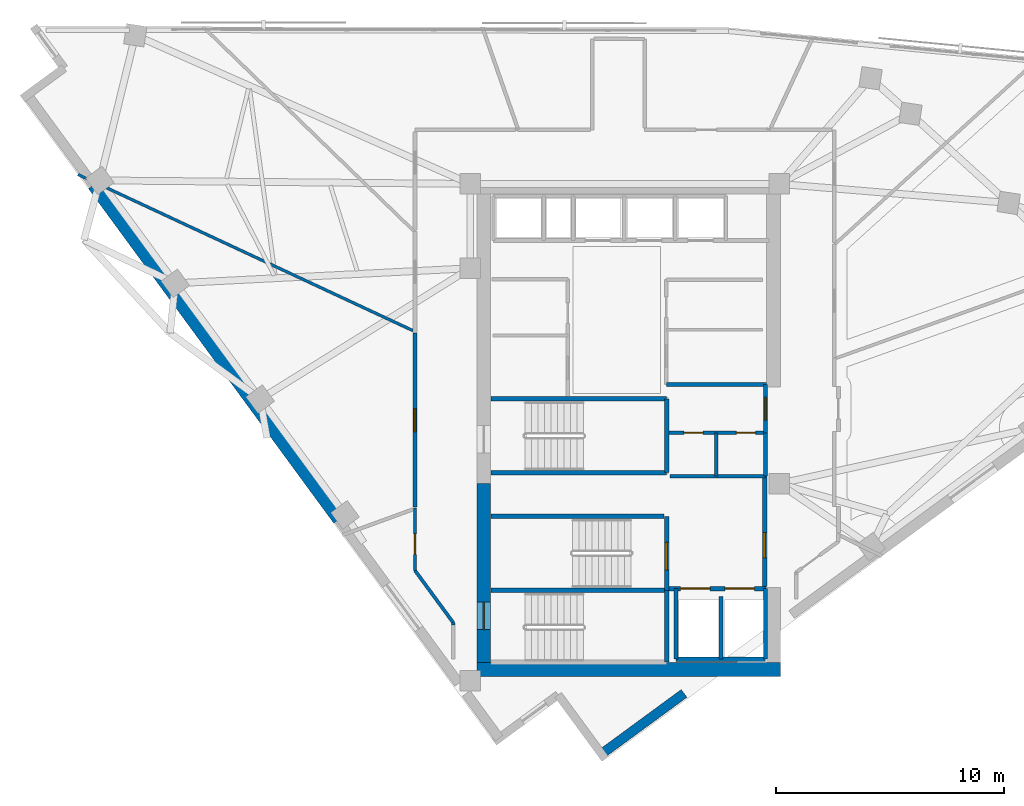
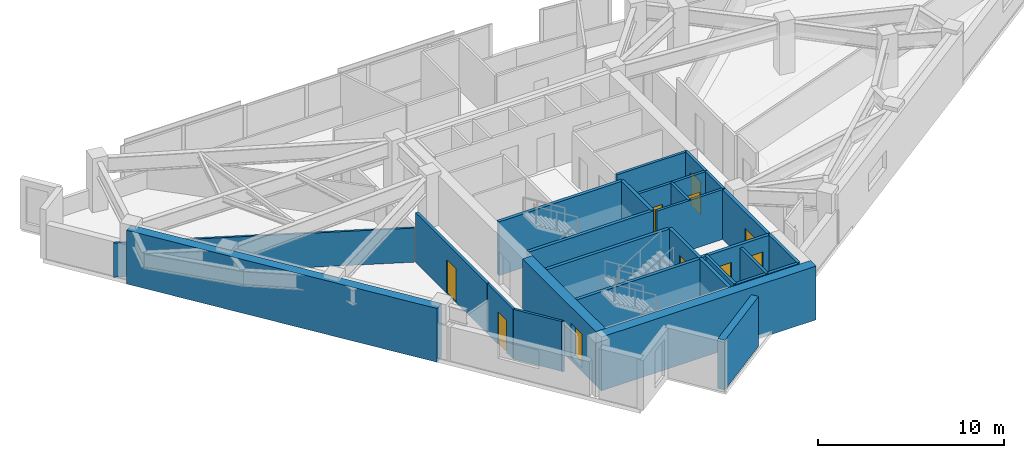
# One storey, part 8 of 14: 28 walls, 10 doors, 10 openings.
"""IFC4 building model written with IfcOpenShell, lengths in metres."""

from ifc_helpers import new_model, si_unit, direction, frame, frame_2d, origin, place, context, subcontext, project, spatial, rectangle, extrude, material, layer, layer_set, type_object, element, fill, save


model = new_model("IFC4")

# Units and contexts
model_context = context("Model", 3, precision=1e-05, world=origin(), true_north=direction((0.0, 1.0)))
body_context = subcontext(model_context, "Body", "Model", "MODEL_VIEW")
ifc_project = project(units=[si_unit("LENGTHUNIT", "METRE"), si_unit("AREAUNIT", "SQUARE_METRE"), si_unit("VOLUMEUNIT", "CUBIC_METRE"), si_unit("PLANEANGLEUNIT", "RADIAN"), si_unit("MASSUNIT", "GRAM", prefix="KILO")], contexts=[model_context])

# Site, building, storey
site_placement = place(None, origin())
site = spatial("IfcSite", under=ifc_project, at=site_placement, CompositionType="ELEMENT")
building_placement = place(site_placement, origin())
building = spatial("IfcBuilding", under=site, at=building_placement, Name="Narakoshi Arena Tower", CompositionType="ELEMENT")
storey_placement = place(building_placement, frame((0.0, 0.0, 260.739990234375)))
storey = spatial("IfcBuildingStorey", under=building, at=storey_placement, Name="L71", CompositionType="ELEMENT", Elevation=260.739990234375)

# Wall, opening, door
ifc_material_1 = material(Name="Concrete C50/60", Category="concrete")
ifc_layer_1 = layer(ifc_material_1, 0.60009765625)
ifc_layer_set_1 = layer_set([ifc_layer_1], Name="Concrete C50/60")
wall_type_1 = type_object("IfcWallType", Name="WL-CORE-600", PredefinedType="SHEAR", material=ifc_layer_set_1)
wall_1_placement = place(storey_placement, frame((72.60009765625, 35.5, -0.260009765625), z_axis=(0.0, 0.0, 1.0), x_axis=(0.0, 1.0, 0.0)))
wall_1 = element("IfcWall", 1, at=wall_1_placement, inside=storey, type_object=wall_type_1, Name="L71 Central Core Shear Wall CW-APX-W", PredefinedType="SHEAR", context=body_context, shape_type="SweptSolid", body=[
    extrude(rectangle(XDim=7.85009765625, YDim=0.60009765625, at=frame_2d((3.925048828125, 0.0))), origin(), (0.0, 0.0, 1.0), 3.52001953125),
])
opening_1_placement = place(wall_1_placement, frame((1.449951171875, 0.0, 0.260009765625)))
opening_1 = element("IfcOpeningElement", 2, at=opening_1_placement, cuts=wall_1, Name="Opening D-03", PredefinedType="OPENING", context=body_context, shape_type="SweptSolid", body=[
    extrude(rectangle(XDim=1.199951171875, YDim=2.199951171875, at=frame_2d((0.60009765625, 1.10009765625))), frame((0.0, 0.31005859375, 0.0), z_axis=(0.0, -1.0, 0.0), x_axis=(1.0, 0.0, 0.0)), (0.0, 0.0, 1.0), 0.6201171875),
])
ifc_material_2 = material(Name="Painted galvanized steel", Category="steel")
door_type_1 = type_object("IfcDoorType", Name="DR-STR-1200", OperationType="NOTDEFINED", PredefinedType="USERDEFINED", material=ifc_material_2)
door_1_placement = place(opening_1_placement, frame((1.199951171875, 0.0, 0.0), z_axis=(0.0, 0.0, 1.0), x_axis=(-1.0, 0.0, 0.0)))
door_1 = element("IfcDoor", 3, at=door_1_placement, inside=storey, type_object=door_type_1, Name="DR-L71-001", ObjectType="EXITDOOR", OperationType="SINGLE_SWING_LEFT", OverallHeight=2.199951171875, OverallWidth=1.199951171875, PredefinedType="USERDEFINED", context=body_context, shape_type="SweptSolid", body=[
    extrude(rectangle(XDim=1.199951171875, YDim=2.199951171875, at=frame_2d((0.60009765625, 1.10009765625))), frame((0.0, 0.02490234375, 0.0), z_axis=(0.0, -1.0, 0.0), x_axis=(1.0, 0.0, 0.0)), (0.0, 0.0, 1.0), 0.050048828125),
])
fill(opening_1, door_1)

# Wall
wall_2_placement = place(storey_placement, frame((72.300048828125, 35.199951171875, -0.260009765625), z_axis=(0.0, 0.0, 1.0), x_axis=(1.0, 0.0, 0.0)))
element("IfcWall", 4, at=wall_2_placement, inside=storey, type_object=wall_type_1, Name="L71 Central Core Shear Wall CW-APX-S", PredefinedType="SHEAR", context=body_context, shape_type="SweptSolid", body=[
    extrude(rectangle(XDim=13.300048828125, YDim=0.60009765625, at=frame_2d((6.64990234375, 0.0))), origin(), (0.0, 0.0, 1.0), 3.52001953125),
])

# Wall, opening, door
ifc_material_3 = material(Name="Gypsum plasterboard fire-rated partition")
ifc_layer_2 = layer(ifc_material_3, 0.1650390625)
ifc_layer_set_2 = layer_set([ifc_layer_2], Name="Gypsum plasterboard fire-rated partition")
wall_type_2 = type_object("IfcWallType", Name="WL-CORR-165", PredefinedType="PARTITIONING", material=ifc_layer_set_2)
wall_3_placement = place(storey_placement, frame((84.949951171875, 45.580078125, 0.0), z_axis=(0.0, 0.0, 1.0), x_axis=(0.0, 1.0, 0.0)))
wall_3 = element("IfcWall", 5, at=wall_3_placement, inside=storey, type_object=wall_type_2, Name="L71 Core Wall CPAS-E", PredefinedType="PARTITIONING", context=body_context, shape_type="SweptSolid", body=[
    extrude(rectangle(XDim=2.119873046875, YDim=0.1650390625, at=frame_2d((1.06005859375, 0.0))), origin(), (0.0, 0.0, 1.0), 3.260009765625),
])
opening_2_placement = place(wall_3_placement, frame((0.56005859375, 0.0, 0.0)))
opening_2 = element("IfcOpeningElement", 6, at=opening_2_placement, cuts=wall_3, Name="Opening D-06", PredefinedType="OPENING", context=body_context, shape_type="SweptSolid", body=[
    extrude(rectangle(XDim=1.0, YDim=2.199951171875, at=frame_2d((0.5, 1.10009765625))), frame((0.0, 0.092529296875, 0.0), z_axis=(0.0, -1.0, 0.0), x_axis=(1.0, 0.0, 0.0)), (0.0, 0.0, 1.0), 0.18505859375),
])
ifc_material_4 = material(Name="Stained oak solid-core timber", Category="wood")
door_type_2 = type_object("IfcDoorType", Name="DR-OFF-1000", OperationType="NOTDEFINED", PredefinedType="DOOR", material=ifc_material_4)
door_2_placement = place(opening_2_placement, frame((1.0, 0.0, 0.0), z_axis=(0.0, 0.0, 1.0), x_axis=(-1.0, 0.0, 0.0)))
door_2 = element("IfcDoor", 7, at=door_2_placement, inside=storey, type_object=door_type_2, Name="DR-L71-007", OperationType="SINGLE_SWING_LEFT", OverallHeight=2.199951171875, OverallWidth=1.0, PredefinedType="DOOR", context=body_context, shape_type="SweptSolid", body=[
    extrude(rectangle(XDim=1.0, YDim=2.199951171875, at=frame_2d((0.5, 1.10009765625))), frame((0.0, 0.02490234375, 0.0), z_axis=(0.0, -1.0, 0.0), x_axis=(1.0, 0.0, 0.0)), (0.0, 0.0, 1.0), 0.050048828125),
])
fill(opening_2, door_2)

wall_4_placement = place(storey_placement, frame((69.577880859375, 49.955810546875, 0.0), z_axis=(0.0, 0.0, 1.0), x_axis=(0.0, -1.0, 0.0)))
wall_4 = element("IfcWall", 8, at=wall_4_placement, inside=storey, type_object=wall_type_2, Name="L71 Corridor Partition 09-1", PredefinedType="PARTITIONING", context=body_context, shape_type="SweptSolid", body=[
    extrude(rectangle(XDim=7.635986328125, YDim=0.1650390625, at=frame_2d((3.81787109375, 0.0))), origin(), (0.0, 0.0, 1.0), 3.260009765625),
])
opening_3_placement = place(wall_4_placement, frame((3.318115234375, 0.0, 0.0)))
opening_3 = element("IfcOpeningElement", 9, at=opening_3_placement, cuts=wall_4, Name="Opening D-06", PredefinedType="OPENING", context=body_context, shape_type="SweptSolid", body=[
    extrude(rectangle(XDim=1.0, YDim=2.199951171875, at=frame_2d((0.5, 1.10009765625))), frame((0.0, 0.092529296875, 0.0), z_axis=(0.0, -1.0, 0.0), x_axis=(1.0, 0.0, 0.0)), (0.0, 0.0, 1.0), 0.18505859375),
])
door_3_placement = place(opening_3_placement, frame((1.0, 0.0, 0.0), z_axis=(0.0, 0.0, 1.0), x_axis=(-1.0, 0.0, 0.0)))
door_3 = element("IfcDoor", 10, at=door_3_placement, inside=storey, type_object=door_type_2, Name="DR-L71-025", OperationType="SINGLE_SWING_LEFT", OverallHeight=2.199951171875, OverallWidth=1.0, PredefinedType="DOOR", context=body_context, shape_type="SweptSolid", body=[
    extrude(rectangle(XDim=1.0, YDim=2.199951171875, at=frame_2d((0.5, 1.10009765625))), frame((0.0, 0.02490234375, 0.0), z_axis=(0.0, -1.0, 0.0), x_axis=(1.0, 0.0, 0.0)), (0.0, 0.0, 1.0), 0.050048828125),
])
fill(opening_3, door_3)

# Walls
ifc_layer_3 = layer(ifc_material_1, 0.550048828125)
ifc_layer_set_3 = layer_set([ifc_layer_3], Name="Concrete C50/60")
wall_type_3 = type_object("IfcWallType", Name="WL-LEG-550", PredefinedType="SHEAR", material=ifc_layer_set_3)
wall_5_placement = place(storey_placement, frame((55.47509765625, 56.450439453125, -0.260009765625), z_axis=(0.0, 0.0, 1.0), x_axis=(0.591309555876, -0.806444672082, 0.0)))
element("IfcWall", 11, at=wall_5_placement, inside=storey, type_object=wall_type_3, Name="L71 Architectural Concrete Structural Wall LEGB-2", PredefinedType="SHEAR", context=body_context, shape_type="SweptSolid", body=[
    extrude(rectangle(XDim=18.1923828125, YDim=0.550048828125, at=frame_2d((9.09619140625, 0.0))), origin(), (0.0, 0.0, 1.0), 3.52001953125),
])
ifc_layer_4 = layer(ifc_material_3, 0.125)
ifc_layer_set_4 = layer_set([ifc_layer_4], Name="Gypsum plasterboard fire-rated partition")
wall_type_4 = type_object("IfcWallType", Name="WL-PART-125", PredefinedType="PARTITIONING", material=ifc_layer_set_4)
wall_6_placement = place(storey_placement, frame((69.4833984375, 50.06640625, 0.0), z_axis=(0.0, 0.0, 1.0), x_axis=(-0.906367788561, 0.422489564202, 0.0)))
element("IfcWall", 12, at=wall_6_placement, inside=storey, type_object=wall_type_4, Name="L71 Inter-Room Partition 07-09", PredefinedType="PARTITIONING", context=body_context, shape_type="SweptSolid", body=[
    extrude(rectangle(XDim=16.2060546875, YDim=0.125, at=frame_2d((8.10302734375, 0.0))), origin(), (0.0, 0.0, 1.0), 2.237060546875),
])
ifc_material_5 = material(Name="Precast concrete C45/55", Category="concrete")
ifc_layer_5 = layer(ifc_material_5, 0.419921875)
ifc_layer_set_5 = layer_set([ifc_layer_5], Name="Precast concrete C45/55")
wall_type_5 = type_object("IfcWallType", Name="WL-POD-420", PredefinedType="SOLIDWALL", material=ifc_layer_set_5)
wall_7_placement = place(storey_placement, frame((77.760009765625, 31.4951171875, 0.0), z_axis=(0.0, 0.0, 1.0), x_axis=(0.806458583304, 0.591290582891, 0.0)))
element("IfcWall", 13, at=wall_7_placement, inside=storey, type_object=wall_type_5, Name="L71 Architectural Concrete Facade Wall LEGA-1", PredefinedType="SOLIDWALL", context=body_context, shape_type="SweptSolid", body=[
    extrude(rectangle(XDim=4.48974609375, YDim=0.419921875, at=frame_2d((2.244873046875, 0.0))), origin(), (0.0, 0.0, 1.0), 3.260009765625),
])
ifc_material_6 = material(Name="Concrete C40/50", Category="concrete")
ifc_layer_6 = layer(ifc_material_6, 0.280029296875)
ifc_layer_set_6 = layer_set([ifc_layer_6], Name="Concrete C40/50")
wall_type_6 = type_object("IfcWallType", Name="WL-RISER-280", PredefinedType="PLUMBINGWALL", material=ifc_layer_set_6)
wall_8_placement = place(storey_placement, frame((83.0, 35.64990234375, 0.0), z_axis=(0.0, 0.0, 1.0), x_axis=(0.0, 1.0, 0.0)))
element("IfcWall", 14, at=wall_8_placement, inside=storey, type_object=wall_type_6, Name="L71 Core Wall FF-DIV", PredefinedType="PLUMBINGWALL", context=body_context, shape_type="SweptSolid", body=[
    extrude(rectangle(XDim=2.75, YDim=0.159912109375, at=frame_2d((1.375, 0.0))), origin(), (0.0, 0.0, 1.0), 3.260009765625),
])
wall_9_placement = place(storey_placement, frame((84.949951171875, 43.679931640625, 0.0), z_axis=(0.0, 0.0, 1.0), x_axis=(0.0, 1.0, 0.0)))
element("IfcWall", 15, at=wall_9_placement, inside=storey, type_object=wall_type_6, Name="L71 Core Wall RSR-E", PredefinedType="PLUMBINGWALL", context=body_context, shape_type="SweptSolid", body=[
    extrude(rectangle(XDim=1.900146484375, YDim=0.1650390625, at=frame_2d((0.9501953125, 0.0))), origin(), (0.0, 0.0, 1.0), 3.260009765625),
])

# Wall, openings, doors
wall_10_placement = place(storey_placement, frame((80.719970703125, 45.580078125, 0.0), z_axis=(0.0, 0.0, 1.0), x_axis=(1.0, 0.0, 0.0)))
wall_10 = element("IfcWall", 16, at=wall_10_placement, inside=storey, type_object=wall_type_6, Name="L71 Core Wall RSR-N", PredefinedType="PLUMBINGWALL", context=body_context, shape_type="SweptSolid", body=[
    extrude(rectangle(XDim=4.22998046875, YDim=0.159912109375, at=frame_2d((2.114990234375, 0.0))), origin(), (0.0, 0.0, 1.0), 3.260009765625),
])
opening_4_placement = place(wall_10_placement, frame((0.64990234375, 0.0, 0.0)))
opening_4 = element("IfcOpeningElement", 17, at=opening_4_placement, cuts=wall_10, Name="Opening D-10", PredefinedType="OPENING", context=body_context, shape_type="SweptSolid", body=[
    extrude(rectangle(XDim=0.85009765625, YDim=2.050048828125, at=frame_2d((0.425048828125, 1.02490234375))), frame((0.0, 0.08984375, 0.0), z_axis=(0.0, -1.0, 0.0), x_axis=(1.0, 0.0, 0.0)), (0.0, 0.0, 1.0), 0.179931640625),
])
opening_5_placement = place(wall_10_placement, frame((2.949951171875, 0.0, 0.0)))
opening_5 = element("IfcOpeningElement", 18, at=opening_5_placement, cuts=wall_10, Name="Opening D-10", PredefinedType="OPENING", context=body_context, shape_type="SweptSolid", body=[
    extrude(rectangle(XDim=0.85009765625, YDim=2.050048828125, at=frame_2d((0.425048828125, 1.02490234375))), frame((0.0, 0.08984375, 0.0), z_axis=(0.0, -1.0, 0.0), x_axis=(1.0, 0.0, 0.0)), (0.0, 0.0, 1.0), 0.179931640625),
])
door_type_3 = type_object("IfcDoorType", Name="DR-RSR-850", OperationType="NOTDEFINED", PredefinedType="DOOR", material=ifc_material_2)
door_4_placement = place(opening_4_placement, frame((0.85009765625, 0.0, 0.0), z_axis=(0.0, 0.0, 1.0), x_axis=(-1.0, 0.0, 0.0)))
door_4 = element("IfcDoor", 19, at=door_4_placement, inside=storey, type_object=door_type_3, Name="DR-L71-008", OperationType="SINGLE_SWING_LEFT", OverallHeight=2.050048828125, OverallWidth=0.85009765625, PredefinedType="DOOR", context=body_context, shape_type="SweptSolid", body=[
    extrude(rectangle(XDim=0.85009765625, YDim=2.050048828125, at=frame_2d((0.425048828125, 1.02490234375))), frame((0.0, 0.02490234375, 0.0), z_axis=(0.0, -1.0, 0.0), x_axis=(1.0, 0.0, 0.0)), (0.0, 0.0, 1.0), 0.050048828125),
])
fill(opening_4, door_4)
door_5_placement = place(opening_5_placement, frame((0.85009765625, 0.0, 0.0), z_axis=(0.0, 0.0, 1.0), x_axis=(-1.0, 0.0, 0.0)))
door_5 = element("IfcDoor", 20, at=door_5_placement, inside=storey, type_object=door_type_3, Name="DR-L71-009", OperationType="SINGLE_SWING_RIGHT", OverallHeight=2.050048828125, OverallWidth=0.85009765625, PredefinedType="DOOR", context=body_context, shape_type="SweptSolid", body=[
    extrude(rectangle(XDim=0.85009765625, YDim=2.050048828125, at=frame_2d((0.425048828125, 1.02490234375))), frame((0.0, 0.02490234375, 0.0), z_axis=(0.0, -1.0, 0.0), x_axis=(1.0, 0.0, 0.0)), (0.0, 0.0, 1.0), 0.050048828125),
])
fill(opening_5, door_5)

# Walls
wall_11_placement = place(storey_placement, frame((80.760009765625, 43.679931640625, 0.0), z_axis=(0.0, 0.0, 1.0), x_axis=(1.0, 0.0, 0.0)))
element("IfcWall", 21, at=wall_11_placement, inside=storey, type_object=wall_type_6, Name="L71 Core Wall RSR-S", PredefinedType="PLUMBINGWALL", context=body_context, shape_type="SweptSolid", body=[
    extrude(rectangle(XDim=4.18994140625, YDim=0.159912109375, at=frame_2d((2.094970703125, 0.0))), origin(), (0.0, 0.0, 1.0), 3.260009765625),
])
wall_12_placement = place(storey_placement, frame((82.800048828125, 43.679931640625, 0.0), z_axis=(0.0, 0.0, 1.0), x_axis=(0.0, 1.0, 0.0)))
element("IfcWall", 22, at=wall_12_placement, inside=storey, type_object=wall_type_6, Name="L71 Core Wall RSR-M", PredefinedType="PLUMBINGWALL", context=body_context, shape_type="SweptSolid", body=[
    extrude(rectangle(XDim=1.900146484375, YDim=0.159912109375, at=frame_2d((0.9501953125, 0.0))), origin(), (0.0, 0.0, 1.0), 3.260009765625),
])
ifc_layer_7 = layer(ifc_material_1, 0.35009765625)
ifc_layer_set_7 = layer_set([ifc_layer_7], Name="Concrete C50/60")
wall_type_7 = type_object("IfcWallType", Name="WL-SHAFT-350", PredefinedType="SOLIDWALL", material=ifc_layer_set_7)
wall_13_placement = place(storey_placement, frame((72.919921875, 38.675048828125, -0.260009765625), z_axis=(0.0, 0.0, 1.0), x_axis=(1.0, 0.0, 0.0)))
element("IfcWall", 23, at=wall_13_placement, inside=storey, type_object=wall_type_7, Name="L71 Core Wall ST12-DIV", PredefinedType="SOLIDWALL", context=body_context, shape_type="SweptSolid", body=[
    extrude(rectangle(XDim=7.7001953125, YDim=0.199951171875, at=frame_2d((3.85009765625, 0.0))), origin(), (0.0, 0.0, 1.0), 3.52001953125),
])
wall_14_placement = place(storey_placement, frame((80.6201171875, 35.52001953125, -0.260009765625), z_axis=(0.0, 0.0, 1.0), x_axis=(0.0, 1.0, 0.0)))
element("IfcWall", 24, at=wall_14_placement, inside=storey, type_object=wall_type_7, Name="L71 Core Wall ST1-E", PredefinedType="SOLIDWALL", context=body_context, shape_type="SweptSolid", body=[
    extrude(rectangle(XDim=3.155029296875, YDim=0.199951171875, at=frame_2d((1.57763671875, 0.0))), origin(), (0.0, 0.0, 1.0), 3.52001953125),
])

# Wall, opening, door
wall_15_placement = place(storey_placement, frame((80.6201171875, 38.675048828125, -0.260009765625), z_axis=(0.0, 0.0, 1.0), x_axis=(0.0, 1.0, 0.0)))
wall_15 = element("IfcWall", 25, at=wall_15_placement, inside=storey, type_object=wall_type_7, Name="L71 Core Wall ST2-E", PredefinedType="SOLIDWALL", context=body_context, shape_type="SweptSolid", body=[
    extrude(rectangle(XDim=3.244873046875, YDim=0.199951171875, at=frame_2d((1.62255859375, 0.0))), origin(), (0.0, 0.0, 1.0), 3.52001953125),
])
opening_6_placement = place(wall_15_placement, frame((0.89990234375, 0.0, 0.260009765625)))
opening_6 = element("IfcOpeningElement", 26, at=opening_6_placement, cuts=wall_15, Name="Opening D-03", PredefinedType="OPENING", context=body_context, shape_type="SweptSolid", body=[
    extrude(rectangle(XDim=1.199951171875, YDim=2.199951171875, at=frame_2d((0.60009765625, 1.10009765625))), frame((0.0, 0.10986328125, 0.0), z_axis=(0.0, -1.0, 0.0), x_axis=(1.0, 0.0, 0.0)), (0.0, 0.0, 1.0), 0.219970703125),
])
door_6_placement = place(opening_6_placement, origin())
door_6 = element("IfcDoor", 27, at=door_6_placement, inside=storey, type_object=door_type_1, Name="DR-L71-002", ObjectType="EXITDOOR", OperationType="SINGLE_SWING_RIGHT", OverallHeight=2.199951171875, OverallWidth=1.199951171875, PredefinedType="USERDEFINED", context=body_context, shape_type="SweptSolid", body=[
    extrude(rectangle(XDim=1.199951171875, YDim=2.199951171875, at=frame_2d((0.60009765625, 1.10009765625))), frame((0.0, 0.02490234375, 0.0), z_axis=(0.0, -1.0, 0.0), x_axis=(1.0, 0.0, 0.0)), (0.0, 0.0, 1.0), 0.050048828125),
])
fill(opening_6, door_6)

# Wall, openings, doors
wall_16_placement = place(storey_placement, frame((80.719970703125, 38.75, 0.0), z_axis=(0.0, 0.0, 1.0), x_axis=(1.0, 0.0, 0.0)))
wall_16 = element("IfcWall", 28, at=wall_16_placement, inside=storey, type_object=wall_type_7, Name="L71 Core Wall FF-N", PredefinedType="SOLIDWALL", context=body_context, shape_type="SweptSolid", body=[
    extrude(rectangle(XDim=4.260009765625, YDim=0.199951171875, at=frame_2d((2.1298828125, 0.0))), origin(), (0.0, 0.0, 1.0), 3.260009765625),
])
opening_7_placement = place(wall_16_placement, frame((0.5, 0.0, 0.0)))
opening_7 = element("IfcOpeningElement", 29, at=opening_7_placement, cuts=wall_16, Name="Opening LD-02", PredefinedType="OPENING", context=body_context, shape_type="SweptSolid", body=[
    extrude(rectangle(XDim=1.300048828125, YDim=2.300048828125, at=frame_2d((0.64990234375, 1.14990234375))), frame((0.0, 0.10986328125, 0.0), z_axis=(0.0, -1.0, 0.0), x_axis=(1.0, 0.0, 0.0)), (0.0, 0.0, 1.0), 0.219970703125),
])
opening_8_placement = place(wall_16_placement, frame((2.449951171875, 0.0, 0.0)))
opening_8 = element("IfcOpeningElement", 30, at=opening_8_placement, cuts=wall_16, Name="Opening LD-02", PredefinedType="OPENING", context=body_context, shape_type="SweptSolid", body=[
    extrude(rectangle(XDim=1.300048828125, YDim=2.300048828125, at=frame_2d((0.64990234375, 1.14990234375))), frame((0.0, 0.10986328125, 0.0), z_axis=(0.0, -1.0, 0.0), x_axis=(1.0, 0.0, 0.0)), (0.0, 0.0, 1.0), 0.219970703125),
])
ifc_material_7 = material(Name="Brushed bronze stainless steel", Category="steel")
door_type_4 = type_object("IfcDoorType", Name="DR-LFT-1300", OperationType="DOUBLE_DOOR_SLIDING", PredefinedType="DOOR", material=ifc_material_7)
door_7_placement = place(opening_7_placement, origin())
door_7 = element("IfcDoor", 31, at=door_7_placement, inside=storey, type_object=door_type_4, Name="DR-L71-003", OperationType="DOUBLE_DOOR_SLIDING", OverallHeight=2.300048828125, OverallWidth=1.300048828125, PredefinedType="DOOR", context=body_context, shape_type="SweptSolid", body=[
    extrude(rectangle(XDim=1.300048828125, YDim=2.300048828125, at=frame_2d((0.64990234375, 1.14990234375))), frame((0.0, 0.02490234375, 0.0), z_axis=(0.0, -1.0, 0.0), x_axis=(1.0, 0.0, 0.0)), (0.0, 0.0, 1.0), 0.050048828125),
])
fill(opening_7, door_7)
door_8_placement = place(opening_8_placement, origin())
door_8 = element("IfcDoor", 32, at=door_8_placement, inside=storey, type_object=door_type_4, Name="DR-L71-004", OperationType="DOUBLE_DOOR_SLIDING", OverallHeight=2.300048828125, OverallWidth=1.300048828125, PredefinedType="DOOR", context=body_context, shape_type="SweptSolid", body=[
    extrude(rectangle(XDim=1.300048828125, YDim=2.300048828125, at=frame_2d((0.64990234375, 1.14990234375))), frame((0.0, 0.02490234375, 0.0), z_axis=(0.0, -1.0, 0.0), x_axis=(1.0, 0.0, 0.0)), (0.0, 0.0, 1.0), 0.050048828125),
])
fill(opening_8, door_8)

# Walls
for number, where, z_axis, x_axis, name in (
    (33, (84.949951171875, 35.64990234375, 0.0), (0.0, 0.0, 1.0), (0.0, 1.0, 0.0), "L71 Core Wall FF-E"),
    (34, (81.02001953125, 35.64990234375, 0.0), (0.0, 0.0, 1.0), (0.0, 1.0, 0.0), "L71 Core Wall FF-W"),
):
    element("IfcWall", number, at=place(storey_placement, frame(where, z_axis=z_axis, x_axis=x_axis)), inside=storey, type_object=wall_type_7, Name=name, PredefinedType="SOLIDWALL", context=body_context, shape_type="SweptSolid", body=[
        extrude(rectangle(XDim=3.10009765625, YDim=0.179931640625, at=frame_2d((1.550048828125, 0.0))), origin(), (0.0, 0.0, 1.0), 3.260009765625),
    ])
wall_17_placement = place(storey_placement, frame((81.02001953125, 35.64990234375, 0.0), z_axis=(0.0, 0.0, 1.0), x_axis=(1.0, 0.0, 0.0)))
element("IfcWall", 35, at=wall_17_placement, inside=storey, type_object=wall_type_7, Name="L71 Core Wall FF-S", PredefinedType="SOLIDWALL", context=body_context, shape_type="SweptSolid", body=[
    extrude(rectangle(XDim=3.929931640625, YDim=0.179931640625, at=frame_2d((1.96484375, 0.0))), origin(), (0.0, 0.0, 1.0), 3.260009765625),
])

# Wall, opening, door
wall_18_placement = place(storey_placement, frame((84.919921875, 38.85009765625, 0.0), z_axis=(0.0, 0.0, 1.0), x_axis=(0.0, 1.0, 0.0)))
wall_18 = element("IfcWall", 36, at=wall_18_placement, inside=storey, type_object=wall_type_7, Name="L71 Core Wall FFLOB-E", PredefinedType="SOLIDWALL", context=body_context, shape_type="SweptSolid", body=[
    extrude(rectangle(XDim=4.829833984375, YDim=0.199951171875, at=frame_2d((2.4150390625, 0.0))), origin(), (0.0, 0.0, 1.0), 3.260009765625),
])
opening_9_placement = place(wall_18_placement, frame((1.25, 0.0, 0.0)))
opening_9 = element("IfcOpeningElement", 37, at=opening_9_placement, cuts=wall_18, Name="Opening D-04", PredefinedType="OPENING", context=body_context, shape_type="SweptSolid", body=[
    extrude(rectangle(XDim=1.10009765625, YDim=2.199951171875, at=frame_2d((0.550048828125, 1.10009765625))), frame((0.0, 0.10986328125, 0.0), z_axis=(0.0, -1.0, 0.0), x_axis=(1.0, 0.0, 0.0)), (0.0, 0.0, 1.0), 0.219970703125),
])
door_type_5 = type_object("IfcDoorType", Name="DR-FFL-1100", OperationType="NOTDEFINED", PredefinedType="DOOR", material=ifc_material_2)
door_9_placement = place(opening_9_placement, frame((1.10009765625, 0.0, 0.0), z_axis=(0.0, 0.0, 1.0), x_axis=(-1.0, 0.0, 0.0)))
door_9 = element("IfcDoor", 38, at=door_9_placement, inside=storey, type_object=door_type_5, Name="DR-L71-005", OperationType="SINGLE_SWING_RIGHT", OverallHeight=2.199951171875, OverallWidth=1.10009765625, PredefinedType="DOOR", context=body_context, shape_type="SweptSolid", body=[
    extrude(rectangle(XDim=1.10009765625, YDim=2.199951171875, at=frame_2d((0.550048828125, 1.10009765625))), frame((0.0, 0.02490234375, 0.0), z_axis=(0.0, -1.0, 0.0), x_axis=(1.0, 0.0, 0.0)), (0.0, 0.0, 1.0), 0.050048828125),
])
fill(opening_9, door_9)

# Walls
wall_19_placement = place(storey_placement, frame((72.919921875, 41.919921875, -0.260009765625), z_axis=(0.0, 0.0, 1.0), x_axis=(1.0, 0.0, 0.0)))
element("IfcWall", 39, at=wall_19_placement, inside=storey, type_object=wall_type_7, Name="L71 Core Wall ST2-N", PredefinedType="SOLIDWALL", context=body_context, shape_type="SweptSolid", body=[
    extrude(rectangle(XDim=7.580078125, YDim=0.199951171875, at=frame_2d((3.7900390625, 0.0))), origin(), (0.0, 0.0, 1.0), 3.52001953125),
])
for number, where, z_axis, x_axis, name in (
    (40, (72.919921875, 43.830078125, -0.260009765625), (0.0, 0.0, 1.0), (1.0, 0.0, 0.0), "L71 Core Wall ST3-S"),
    (41, (72.919921875, 47.070068359375, -0.260009765625), (0.0, 0.0, 1.0), (1.0, 0.0, 0.0), "L71 Core Wall ST3-N"),
):
    element("IfcWall", number, at=place(storey_placement, frame(where, z_axis=z_axis, x_axis=x_axis)), inside=storey, type_object=wall_type_7, Name=name, PredefinedType="SOLIDWALL", context=body_context, shape_type="SweptSolid", body=[
        extrude(rectangle(XDim=7.7001953125, YDim=0.199951171875, at=frame_2d((3.85009765625, 0.0))), origin(), (0.0, 0.0, 1.0), 3.52001953125),
    ])
wall_20_placement = place(storey_placement, frame((80.6201171875, 43.830078125, -0.260009765625), z_axis=(0.0, 0.0, 1.0), x_axis=(0.0, 1.0, 0.0)))
element("IfcWall", 42, at=wall_20_placement, inside=storey, type_object=wall_type_7, Name="L71 Core Wall ST3-E", PredefinedType="SOLIDWALL", context=body_context, shape_type="SweptSolid", body=[
    extrude(rectangle(XDim=3.239990234375, YDim=0.199951171875, at=frame_2d((1.6201171875, 0.0))), origin(), (0.0, 0.0, 1.0), 3.52001953125),
])
wall_21_placement = place(storey_placement, frame((80.60009765625, 47.699951171875, 0.0), z_axis=(0.0, 0.0, 1.0), x_axis=(1.0, 0.0, 0.0)))
element("IfcWall", 43, at=wall_21_placement, inside=storey, type_object=wall_type_7, Name="L71 Core Wall MR-S", PredefinedType="SOLIDWALL", context=body_context, shape_type="SweptSolid", body=[
    extrude(rectangle(XDim=4.39990234375, YDim=0.159912109375, at=frame_2d((2.199951171875, 0.0))), origin(), (0.0, 0.0, 1.0), 3.260009765625),
])
ifc_material_8 = material(Name="Moisture-resistant cement-board partition")
ifc_layer_8 = layer(ifc_material_8, 0.14501953125)
ifc_layer_set_8 = layer_set([ifc_layer_8], Name="Moisture-resistant cement-board partition")
wall_type_8 = type_object("IfcWallType", Name="WL-WET-145", PredefinedType="PARTITIONING", material=ifc_layer_set_8)
wall_22_placement = place(storey_placement, frame((69.577880859375, 39.5419921875, 0.0), z_axis=(0.0, 0.0, 1.0), x_axis=(0.591303776917, -0.806448909357, 0.0)))
element("IfcWall", 44, at=wall_22_placement, inside=storey, type_object=wall_type_8, Name="L71 Corridor Partition 01-1", PredefinedType="PARTITIONING", context=body_context, shape_type="SweptSolid", body=[
    extrude(rectangle(XDim=2.827880859375, YDim=0.14501953125, at=frame_2d((1.4140625, 0.0))), origin(), (0.0, 0.0, 1.0), 3.260009765625),
])

# Wall, opening, door
wall_23_placement = place(storey_placement, frame((69.577880859375, 42.294189453125, 0.0), z_axis=(0.0, 0.0, 1.0), x_axis=(0.0, -1.0, 0.0)))
wall_23 = element("IfcWall", 45, at=wall_23_placement, inside=storey, type_object=wall_type_8, Name="L71 Corridor Partition 01-2", PredefinedType="PARTITIONING", context=body_context, shape_type="SweptSolid", body=[
    extrude(rectangle(XDim=2.752197265625, YDim=0.14501953125, at=frame_2d((1.3759765625, 0.0))), origin(), (0.0, 0.0, 1.0), 3.260009765625),
])
opening_10_placement = place(wall_23_placement, frame((1.143798828125, 0.0, 0.0)))
opening_10 = element("IfcOpeningElement", 46, at=opening_10_placement, cuts=wall_23, Name="Opening D-08", PredefinedType="OPENING", context=body_context, shape_type="SweptSolid", body=[
    extrude(rectangle(XDim=0.89990234375, YDim=2.10009765625, at=frame_2d((0.449951171875, 1.050048828125))), frame((0.0, 0.08251953125, 0.0), z_axis=(0.0, -1.0, 0.0), x_axis=(1.0, 0.0, 0.0)), (0.0, 0.0, 1.0), 0.1650390625),
])
ifc_material_9 = material(Name="Moisture-resistant laminate timber", Category="wood")
door_type_6 = type_object("IfcDoorType", Name="DR-WC-900", OperationType="NOTDEFINED", PredefinedType="DOOR", material=ifc_material_9)
door_10_placement = place(opening_10_placement, frame((0.89990234375, 0.0, 0.0), z_axis=(0.0, 0.0, 1.0), x_axis=(-1.0, 0.0, 0.0)))
door_10 = element("IfcDoor", 47, at=door_10_placement, inside=storey, type_object=door_type_6, Name="DR-L71-017", OperationType="SINGLE_SWING_RIGHT", OverallHeight=2.10009765625, OverallWidth=0.89990234375, PredefinedType="DOOR", context=body_context, shape_type="SweptSolid", body=[
    extrude(rectangle(XDim=0.89990234375, YDim=2.10009765625, at=frame_2d((0.449951171875, 1.050048828125))), frame((0.0, 0.02490234375, 0.0), z_axis=(0.0, -1.0, 0.0), x_axis=(1.0, 0.0, 0.0)), (0.0, 0.0, 1.0), 0.050048828125),
])
fill(opening_10, door_10)

# Wall
wall_24_placement = place(storey_placement, frame((71.25, 37.261474609375, 0.0), z_axis=(0.0, 0.0, 1.0), x_axis=(0.0, -1.0, 0.0)))
element("IfcWall", 48, at=wall_24_placement, inside=storey, type_object=wall_type_8, Name="L71 Corridor Partition 01-3", PredefinedType="PARTITIONING", context=body_context, shape_type="SweptSolid", body=[
    extrude(rectangle(XDim=0.1015625, YDim=0.14501953125, at=frame_2d((0.05078125, 0.0))), origin(), (0.0, 0.0, 1.0), 3.260009765625),
])

save(model, "model.ifc")
